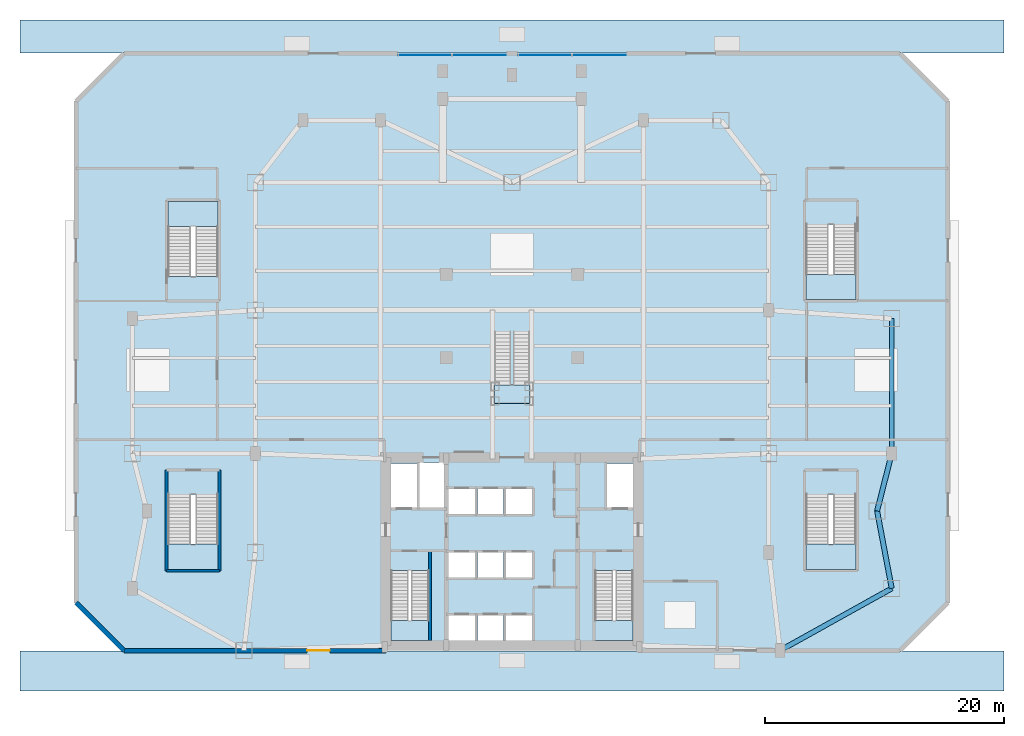
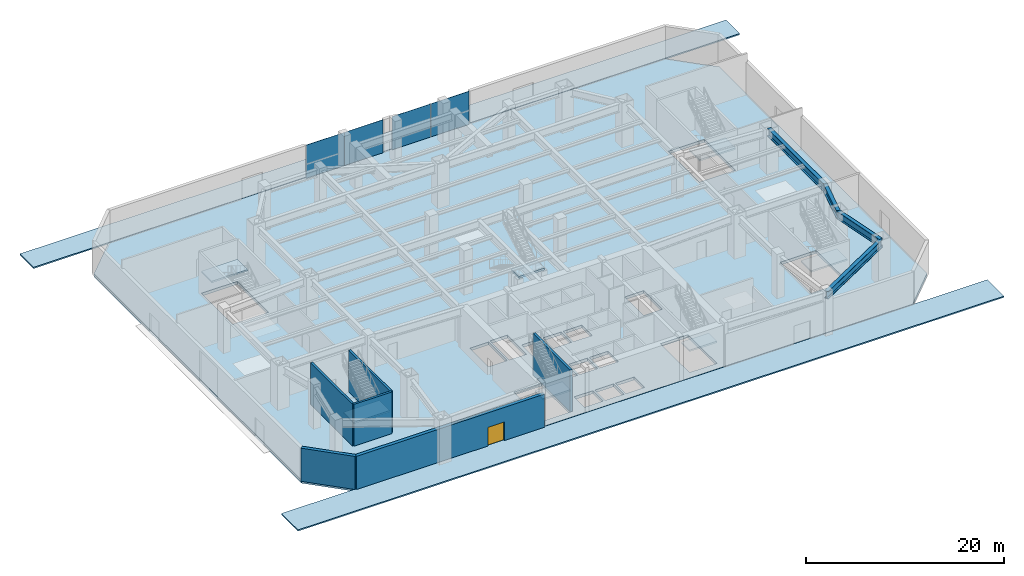
# One storey, part 4 of 11: 10 slabs, 6 walls, 4 beams, 4 plates, 1 door, 1 opening, 9 elements without a shape of their own.
"""IFC4 building model written with IfcOpenShell, lengths in metres."""

from ifc_helpers import new_model, si_unit, direction, frame, frame_2d, origin, origin_2d, place, context, subcontext, project, spatial, polyline, rectangle, i_section, outline, extrude, source, transform, mapped, material, layer, layer_set, material_profile, profile_set, type_object, type_shapes, element, fill, aggregate, save


model = new_model("IFC4")

# Units and contexts
model_context = context("Model", 3, precision=1e-05, world=origin(), true_north=direction((0.0, 1.0)))
body_context = subcontext(model_context, "Body", "Model", "MODEL_VIEW")
ifc_project = project(units=[si_unit("LENGTHUNIT", "METRE"), si_unit("AREAUNIT", "SQUARE_METRE"), si_unit("VOLUMEUNIT", "CUBIC_METRE"), si_unit("PLANEANGLEUNIT", "RADIAN"), si_unit("MASSUNIT", "GRAM", prefix="KILO")], contexts=[model_context])

# Site, building, storey
site_placement = place(None, origin())
site = spatial("IfcSite", under=ifc_project, at=site_placement, CompositionType="ELEMENT")
building_placement = place(site_placement, origin())
building = spatial("IfcBuilding", under=site, at=building_placement, Name="Varnakhor Terracotta Tower", CompositionType="ELEMENT")
storey_placement = place(building_placement, origin())
storey = spatial("IfcBuildingStorey", under=building, at=storey_placement, Name="L00", CompositionType="ELEMENT", Elevation=0.0)

# Beams
ifc_material_1 = material(Name="Steel S355", Category="steel")
ifc_material_profile = material_profile(ifc_material_1, i_section(OverallWidth=0.41796875, OverallDepth=0.927001953125, WebThickness=0.01904296875, FlangeThickness=0.031982421875, FilletRadius=0.01806640625, at=origin_2d()), Name="W36X231")
ifc_profile_set = profile_set([ifc_material_profile], Name="Steel S355")
beam_type = type_object("IfcBeamType", Name="BM-W36X231", PredefinedType="BEAM", material=ifc_profile_set)
shared_shape_1 = source(origin(), body_context, "Body", "SweptSolid", [
    extrude(i_section(OverallWidth=0.41796875, OverallDepth=0.927001953125, WebThickness=0.01904296875, FlangeThickness=0.031982421875, FilletRadius=0.01806640625, at=origin_2d()), origin(), (0.0, 0.0, 1.0), 10.7021484375),
])
beam_1_placement = place(storey_placement, frame((22.446044921875, 0.0, 4.6865234375), z_axis=(0.874027042936, 0.485877276909, 0.0), x_axis=(-0.485877276909, 0.874027042936, 0.0)))
element("IfcBeam", 1, at=beam_1_placement, inside=storey, type_object=beam_type, Name="L00 Podium Wing Girder OE1", PredefinedType="BEAM", context=body_context, shape_type="MappedRepresentation", body=[
    mapped(shared_shape_1, transform((0.0, 0.0, 0.0), scale=1.0)),
])
shared_shape_2 = source(origin(), body_context, "Body", "SweptSolid", [
    extrude(i_section(OverallWidth=0.41796875, OverallDepth=0.927001953125, WebThickness=0.01904296875, FlangeThickness=0.031982421875, FilletRadius=0.01806640625, at=origin_2d()), origin(), (0.0, 0.0, 1.0), 6.60205078125),
])
beam_2_placement = place(storey_placement, frame((31.800048828125, 5.199951171875, 4.6865234375), z_axis=(-0.185857896361, 0.982576634345, 0.0), x_axis=(-0.982576634345, -0.185857896361, 0.0)))
element("IfcBeam", 2, at=beam_2_placement, inside=storey, type_object=beam_type, Name="L00 Podium Wing Girder OE2A", PredefinedType="BEAM", context=body_context, shape_type="MappedRepresentation", body=[
    mapped(shared_shape_2, transform((0.0, 0.0, 0.0), scale=1.0)),
])
shared_shape_3 = source(origin(), body_context, "Body", "SweptSolid", [
    extrude(i_section(OverallWidth=0.41796875, OverallDepth=0.927001953125, WebThickness=0.01904296875, FlangeThickness=0.031982421875, FilletRadius=0.01806640625, at=origin_2d()), origin(), (0.0, 0.0, 1.0), 4.967041015625),
])
beam_3_placement = place(storey_placement, frame((30.572998046875, 11.68701171875, 4.6865234375), z_axis=(0.247043524216, 0.969004384481, 0.0), x_axis=(-0.969004384481, 0.247043524216, 0.0)))
element("IfcBeam", 3, at=beam_3_placement, inside=storey, type_object=beam_type, Name="L00 Podium Wing Girder OE2B", PredefinedType="BEAM", context=body_context, shape_type="MappedRepresentation", body=[
    mapped(shared_shape_3, transform((0.0, 0.0, 0.0), scale=1.0)),
])
shared_shape_4 = source(origin(), body_context, "Body", "SweptSolid", [
    extrude(i_section(OverallWidth=0.41796875, OverallDepth=0.927001953125, WebThickness=0.01904296875, FlangeThickness=0.031982421875, FilletRadius=0.01806640625, at=origin_2d()), origin(), (0.0, 0.0, 1.0), 11.300048828125),
])
beam_4_placement = place(storey_placement, frame((31.800048828125, 16.5, 4.6865234375), z_axis=(0.0, 1.0, 0.0), x_axis=(-1.0, 0.0, 0.0)))
element("IfcBeam", 4, at=beam_4_placement, inside=storey, type_object=beam_type, Name="L00 Podium Wing Girder OE3", PredefinedType="BEAM", context=body_context, shape_type="MappedRepresentation", body=[
    mapped(shared_shape_4, transform((0.0, 0.0, 0.0), scale=1.0)),
])

# Slab
ifc_material_2 = material(Name="Concrete C40/50", Category="concrete")
ifc_layer_1 = layer(ifc_material_2, 0.360107421875, Name="Concrete C40/50")
ifc_layer_set_1 = layer_set([ifc_layer_1], Name="Concrete C40/50")
slab_type_1 = type_object("IfcSlabType", Name="SLB-CONC-360", PredefinedType="FLOOR", material=ifc_layer_set_1)
slab_1_placement = place(storey_placement, frame((0.0, 0.0, -0.360107421875)))
element("IfcSlab", 5, at=slab_1_placement, inside=storey, type_object=slab_type_1, Name="L00 Structural Floor Slab", PredefinedType="FLOOR", context=body_context, shape_type="SweptSolid", body=[
    extrude(outline(polyline([(-36.5, 4.0), (-36.5, 46.0), (-32.5, 50.0), (32.5, 50.0), (36.5, 46.0), (36.5, 4.0), (32.5, 0.0), (-32.5, 0.0), (-36.5, 4.0)]), holes=[polyline([(-5.300048828125, 0.85009765625), (-3.10009765625, 0.85009765625), (-3.10009765625, 2.949951171875), (-5.300048828125, 2.949951171875), (-5.300048828125, 0.85009765625)]), polyline([(-10.14990234375, 0.85009765625), (-6.949951171875, 0.85009765625), (-6.949951171875, 6.695068359375), (-10.14990234375, 6.695068359375), (-10.14990234375, 0.85009765625)]), polyline([(-5.300048828125, 6.10009765625), (-3.10009765625, 6.10009765625), (-3.10009765625, 8.199951171875), (-5.300048828125, 8.199951171875), (-5.300048828125, 6.10009765625)]), polyline([(-28.800048828125, 6.800048828125), (-24.60009765625, 6.800048828125), (-24.60009765625, 13.0849609375), (-28.800048828125, 13.0849609375), (-28.800048828125, 6.800048828125)]), polyline([(-5.300048828125, 11.419921875), (-3.10009765625, 11.419921875), (-3.10009765625, 13.52001953125), (-5.300048828125, 13.52001953125), (-5.300048828125, 11.419921875)]), polyline([(-2.8798828125, 11.419921875), (-0.719970703125, 11.419921875), (-0.719970703125, 13.52001953125), (-2.8798828125, 13.52001953125), (-2.8798828125, 11.419921875)]), polyline([(-10.14990234375, 11.8798828125), (-7.949951171875, 11.8798828125), (-7.949951171875, 15.64990234375), (-10.14990234375, 15.64990234375), (-10.14990234375, 11.8798828125)]), polyline([(-7.72998046875, 15.75), (-7.72998046875, 11.8798828125), (-5.699951171875, 11.8798828125), (-5.699951171875, 15.75), (-7.72998046875, 15.75)]), polyline([(-28.800048828125, 37.60009765625), (-28.800048828125, 31.31494140625), (-24.60009765625, 31.31494140625), (-24.60009765625, 37.60009765625), (-28.800048828125, 37.60009765625)]), polyline([(-2.8798828125, 0.85009765625), (-0.719970703125, 0.85009765625), (-0.719970703125, 2.949951171875), (-2.8798828125, 2.949951171875), (-2.8798828125, 0.85009765625)]), polyline([(-0.5, 0.85009765625), (1.699951171875, 0.85009765625), (1.699951171875, 2.949951171875), (-0.5, 2.949951171875), (-0.5, 0.85009765625)]), polyline([(6.949951171875, 0.85009765625), (10.14990234375, 0.85009765625), (10.14990234375, 6.695068359375), (6.949951171875, 6.695068359375), (6.949951171875, 0.85009765625)]), polyline([(-2.8798828125, 6.10009765625), (-0.719970703125, 6.10009765625), (-0.719970703125, 8.199951171875), (-2.8798828125, 8.199951171875), (-2.8798828125, 6.10009765625)]), polyline([(-0.5, 6.10009765625), (1.699951171875, 6.10009765625), (1.699951171875, 8.199951171875), (-0.5, 8.199951171875), (-0.5, 6.10009765625)]), polyline([(24.60009765625, 6.800048828125), (28.800048828125, 6.800048828125), (28.800048828125, 13.0849609375), (24.60009765625, 13.0849609375), (24.60009765625, 6.800048828125)]), polyline([(-0.5, 11.419921875), (1.699951171875, 11.419921875), (1.699951171875, 13.52001953125), (-0.5, 13.52001953125), (-0.5, 11.419921875)]), polyline([(7.949951171875, 15.64990234375), (7.949951171875, 11.8798828125), (10.14990234375, 11.8798828125), (10.14990234375, 15.64990234375), (7.949951171875, 15.64990234375)]), polyline([(24.60009765625, 35.68505859375), (24.60009765625, 29.39990234375), (28.800048828125, 29.39990234375), (28.800048828125, 35.68505859375), (24.60009765625, 35.68505859375)])]), origin(), (0.0, 0.0, 1.0), 0.360107421875),
])

# Stair, slab
stair_type_1 = type_object("IfcStairType", Name="STR-CORE-OFFICE-1500", PredefinedType="HALF_TURN_STAIR", material=ifc_material_2)
stair_1_placement = place(storey_placement, origin())
stair_1 = element("IfcStair", 6, at=stair_1_placement, inside=storey, type_object=stair_type_1, Name="L00 Core Exit Stair ST-1", PredefinedType="HALF_TURN_STAIR")
ifc_layer_2 = layer(ifc_material_2, 0.179931640625, Name="Concrete C40/50")
ifc_layer_set_2 = layer_set([ifc_layer_2], Name="Concrete C40/50")
slab_type_2 = type_object("IfcSlabType", Name="SLB-LANDING-180", PredefinedType="LANDING", material=ifc_layer_set_2)
slab_2_placement = place(storey_placement, frame((0.0, 0.0, 2.550048828125)))
slab_2 = element("IfcSlab", 7, at=slab_2_placement, type_object=slab_type_2, Name="ST-1 landing 1", PredefinedType="LANDING", context=body_context, shape_type="SweptSolid", body=[
    extrude(outline(polyline([(-10.14990234375, 2.510009765625), (-10.14990234375, 0.85009765625), (-6.949951171875, 0.85009765625), (-6.949951171875, 2.510009765625), (-10.14990234375, 2.510009765625)])), origin(), (0.0, 0.0, 1.0), 0.199951171875),
])
aggregate(stair_1, [slab_2])

stair_2_placement = place(storey_placement, origin())
stair_2 = element("IfcStair", 8, at=stair_2_placement, inside=storey, type_object=stair_type_1, Name="L00 Core Exit Stair ST-2", PredefinedType="HALF_TURN_STAIR")
slab_3_placement = place(storey_placement, frame((0.0, 0.0, 2.550048828125)))
slab_3 = element("IfcSlab", 9, at=slab_3_placement, type_object=slab_type_2, Name="ST-2 landing 1", PredefinedType="LANDING", context=body_context, shape_type="SweptSolid", body=[
    extrude(outline(polyline([(6.949951171875, 2.510009765625), (6.949951171875, 0.85009765625), (10.14990234375, 0.85009765625), (10.14990234375, 2.510009765625), (6.949951171875, 2.510009765625)])), origin(), (0.0, 0.0, 1.0), 0.199951171875),
])
aggregate(stair_2, [slab_3])

stair_type_2 = type_object("IfcStairType", Name="STR-PODIUM-EXIT-2000", PredefinedType="HALF_TURN_STAIR", material=ifc_material_2)
stair_3_placement = place(storey_placement, origin())
stair_3 = element("IfcStair", 10, at=stair_3_placement, inside=storey, type_object=stair_type_2, Name="L00 Podium Assembly Exit Stair ST-P1", PredefinedType="HALF_TURN_STAIR")
slab_4_placement = place(storey_placement, frame((0.0, 0.0, 2.550048828125)))
slab_4 = element("IfcSlab", 11, at=slab_4_placement, type_object=slab_type_2, Name="ST-P1 landing 1", PredefinedType="LANDING", context=body_context, shape_type="SweptSolid", body=[
    extrude(outline(polyline([(-28.800048828125, 8.89990234375), (-28.800048828125, 6.800048828125), (-24.60009765625, 6.800048828125), (-24.60009765625, 8.89990234375), (-28.800048828125, 8.89990234375)])), origin(), (0.0, 0.0, 1.0), 0.199951171875),
])
aggregate(stair_3, [slab_4])

stair_4_placement = place(storey_placement, origin())
stair_4 = element("IfcStair", 12, at=stair_4_placement, inside=storey, type_object=stair_type_2, Name="L00 Podium Assembly Exit Stair ST-P2", PredefinedType="HALF_TURN_STAIR")
slab_5_placement = place(storey_placement, frame((0.0, 0.0, 2.550048828125)))
slab_5 = element("IfcSlab", 13, at=slab_5_placement, type_object=slab_type_2, Name="ST-P2 landing 1", PredefinedType="LANDING", context=body_context, shape_type="SweptSolid", body=[
    extrude(outline(polyline([(24.60009765625, 8.89990234375), (24.60009765625, 6.800048828125), (28.800048828125, 6.800048828125), (28.800048828125, 8.89990234375), (24.60009765625, 8.89990234375)])), origin(), (0.0, 0.0, 1.0), 0.199951171875),
])
aggregate(stair_4, [slab_5])

stair_5_placement = place(storey_placement, origin())
stair_5 = element("IfcStair", 14, at=stair_5_placement, inside=storey, type_object=stair_type_2, Name="L00 Podium Assembly Exit Stair ST-P3", PredefinedType="HALF_TURN_STAIR")
slab_6_placement = place(storey_placement, frame((0.0, 0.0, 2.550048828125)))
slab_6 = element("IfcSlab", 15, at=slab_6_placement, type_object=slab_type_2, Name="ST-P3 landing 1", PredefinedType="LANDING", context=body_context, shape_type="SweptSolid", body=[
    extrude(outline(polyline([(-24.60009765625, 35.5), (-24.60009765625, 37.60009765625), (-28.800048828125, 37.60009765625), (-28.800048828125, 35.5), (-24.60009765625, 35.5)])), origin(), (0.0, 0.0, 1.0), 0.199951171875),
])
aggregate(stair_5, [slab_6])

stair_6_placement = place(storey_placement, origin())
stair_6 = element("IfcStair", 16, at=stair_6_placement, inside=storey, type_object=stair_type_2, Name="L00 Podium Assembly Exit Stair ST-P4", PredefinedType="HALF_TURN_STAIR")
slab_7_placement = place(storey_placement, frame((0.0, 0.0, 2.550048828125)))
slab_7 = element("IfcSlab", 17, at=slab_7_placement, type_object=slab_type_2, Name="ST-P4 landing 1", PredefinedType="LANDING", context=body_context, shape_type="SweptSolid", body=[
    extrude(outline(polyline([(24.60009765625, 31.5), (24.60009765625, 29.39990234375), (28.800048828125, 29.39990234375), (28.800048828125, 31.5), (24.60009765625, 31.5)])), origin(), (0.0, 0.0, 1.0), 0.199951171875),
])
aggregate(stair_6, [slab_7])

stair_type_3 = type_object("IfcStairType", Name="STR-FEATURE-2400", PredefinedType="STRAIGHT_RUN_STAIR", material=ifc_material_1)
stair_7_placement = place(storey_placement, origin())
stair_7 = element("IfcStair", 18, at=stair_7_placement, inside=storey, type_object=stair_type_3, Name="Podium Grand Feature Stair ST-F1", PredefinedType="HALF_TURN_STAIR")
slab_8_placement = place(storey_placement, frame((0.0, 0.0, 2.510009765625)))
slab_8 = element("IfcSlab", 19, at=slab_8_placement, type_object=slab_type_2, Name="ST-F1 landing 1", PredefinedType="LANDING", context=body_context, shape_type="SweptSolid", body=[
    extrude(outline(polyline([(-1.52001953125, 20.699951171875), (1.52001953125, 20.699951171875), (1.52001953125, 22.25), (-1.52001953125, 22.25), (-1.52001953125, 20.699951171875)])), origin(), (0.0, 0.0, 1.0), 0.239990234375),
])
aggregate(stair_7, [slab_8])

# Slabs
ifc_layer_3 = layer(ifc_material_2, 0.159912109375, Name="Concrete C40/50")
ifc_layer_set_3 = layer_set([ifc_layer_3], Name="Concrete C40/50")
slab_type_3 = type_object("IfcSlabType", Name="SLB-PAVING-160", PredefinedType="USERDEFINED", material=ifc_layer_set_3)
slab_9_placement = place(storey_placement, frame((0.0, 0.0, -0.159912109375)))
element("IfcSlab", 20, at=slab_9_placement, inside=storey, type_object=slab_type_3, Name="L00 North Arrival Forecourt Paving", ObjectType="PAVING", PredefinedType="USERDEFINED", context=body_context, shape_type="SweptSolid", body=[
    extrude(outline(polyline([(-41.199951171875, 50.0400390625), (41.199951171875, 50.0400390625), (41.199951171875, 52.800048828125), (-41.199951171875, 52.800048828125), (-41.199951171875, 50.0400390625)])), origin(), (0.0, 0.0, 1.0), 0.159912109375),
])
slab_10_placement = place(storey_placement, frame((0.0, 0.0, -0.159912109375)))
element("IfcSlab", 21, at=slab_10_placement, inside=storey, type_object=slab_type_3, Name="L00 South Colonnade Apron Paving", ObjectType="PAVING", PredefinedType="USERDEFINED", context=body_context, shape_type="SweptSolid", body=[
    extrude(outline(polyline([(-41.199951171875, -3.39990234375), (41.199951171875, -3.39990234375), (41.199951171875, -0.0400390625), (-41.199951171875, -0.0400390625), (-41.199951171875, -3.39990234375)])), origin(), (0.0, 0.0, 1.0), 0.159912109375),
])

# Curtain wall, plates
ifc_material_3 = material(Name="Anodised Aluminium Curtain Wall System", Category="aluminium")
curtain_wall_type = type_object("IfcCurtainWallType", Name="CW-SYS-PODIUM", PredefinedType="NOTDEFINED", material=ifc_material_3)
curtain_wall_1_placement = place(storey_placement, origin())
curtain_wall_1 = element("IfcCurtainWall", 22, at=curtain_wall_1_placement, inside=storey, type_object=curtain_wall_type, Name="L00 North West Foyer Curtain Wall", PredefinedType="NOTDEFINED")
ifc_material_4 = material(Name="Solar-Control Low-E Insulated Glass Panel", Category="glass")
ifc_layer_4 = layer(ifc_material_4, 0.0439453125, Name="Solar-Control Low-E Insulated Glass Panel")
ifc_layer_set_4 = layer_set([ifc_layer_4], Name="Solar-Control Low-E Insulated Glass Panel")
plate_type = type_object("IfcPlateType", Name="CWP-01", PredefinedType="CURTAIN_PANEL", material=ifc_layer_set_4)
shared_shape_5 = source(origin(), body_context, "Body", "SweptSolid", [
    extrude(rectangle(XDim=4.47509765625, YDim=0.035888671875, at=origin_2d()), origin(), (0.0, 0.0, 1.0), 4.090087890625),
])
type_shapes(plate_type, [shared_shape_5])
plate_1_placement = place(storey_placement, frame((-7.282470703125, 49.8798828125, 0.0), z_axis=(0.0, 0.0, 1.0), x_axis=(1.0, 0.0, 0.0)))
plate_1 = element("IfcPlate", 23, at=plate_1_placement, type_object=plate_type, Name="L00 North West Foyer Curtain Wall Glazed Panel 1", PredefinedType="CURTAIN_PANEL", context=body_context, shape_type="MappedRepresentation", body=[
    mapped(shared_shape_5, transform((0.0, 0.0, 0.0), scale=1.0)),
])
plate_2_placement = place(storey_placement, frame((-2.767578125, 49.8798828125, 0.0), z_axis=(0.0, 0.0, 1.0), x_axis=(1.0, 0.0, 0.0)))
plate_2 = element("IfcPlate", 24, at=plate_2_placement, type_object=plate_type, Name="L00 North West Foyer Curtain Wall Glazed Panel 2", PredefinedType="CURTAIN_PANEL", context=body_context, shape_type="MappedRepresentation", body=[
    mapped(shared_shape_5, transform((0.0, 0.0, 0.0), scale=1.0)),
])
aggregate(curtain_wall_1, [plate_1, plate_2])

curtain_wall_2_placement = place(storey_placement, origin())
curtain_wall_2 = element("IfcCurtainWall", 25, at=curtain_wall_2_placement, inside=storey, type_object=curtain_wall_type, Name="L00 North East Foyer Curtain Wall", PredefinedType="NOTDEFINED")
plate_3_placement = place(storey_placement, frame((2.767578125, 49.8798828125, 0.0), z_axis=(0.0, 0.0, 1.0), x_axis=(1.0, 0.0, 0.0)))
plate_3 = element("IfcPlate", 26, at=plate_3_placement, type_object=plate_type, Name="L00 North East Foyer Curtain Wall Glazed Panel 1", PredefinedType="CURTAIN_PANEL", context=body_context, shape_type="MappedRepresentation", body=[
    mapped(shared_shape_5, transform((0.0, 0.0, 0.0), scale=1.0)),
])
plate_4_placement = place(storey_placement, frame((7.282470703125, 49.8798828125, 0.0), z_axis=(0.0, 0.0, 1.0), x_axis=(1.0, 0.0, 0.0)))
plate_4 = element("IfcPlate", 27, at=plate_4_placement, type_object=plate_type, Name="L00 North East Foyer Curtain Wall Glazed Panel 2", PredefinedType="CURTAIN_PANEL", context=body_context, shape_type="MappedRepresentation", body=[
    mapped(shared_shape_5, transform((0.0, 0.0, 0.0), scale=1.0)),
])
aggregate(curtain_wall_2, [plate_3, plate_4])

# Wall, opening, door
ifc_material_5 = material(Name="Honed Riyadh Limestone Assembly", Category="masonry")
ifc_layer_5 = layer(ifc_material_5, 0.3798828125, Name="Honed Riyadh Limestone Assembly")
ifc_layer_set_5 = layer_set([ifc_layer_5], Name="Honed Riyadh Limestone Assembly")
wall_type_1 = type_object("IfcWallType", Name="WAL-EXT-LIMESTONE-380", PredefinedType="SOLIDWALL", material=ifc_layer_set_5)
wall_1_placement = place(storey_placement, frame((-10.550048828125, 0.0, 0.0), z_axis=(0.0, 0.0, 1.0), x_axis=(-1.0, 0.0, 0.0)))
wall_1 = element("IfcWall", 28, at=wall_1_placement, inside=storey, type_object=wall_type_1, Name="L00 Limestone Podium Wall SW", PredefinedType="SOLIDWALL", context=body_context, shape_type="SweptSolid", body=[
    extrude(rectangle(XDim=21.949951171875, YDim=0.3798828125, at=frame_2d((10.97509765625, 0.0))), origin(), (0.0, 0.0, 1.0), 4.090087890625),
])
opening_placement = place(wall_1_placement, frame((4.699951171875, 0.0, 0.0)))
opening = element("IfcOpeningElement", 29, at=opening_placement, cuts=wall_1, Name="Opening DR-56", PredefinedType="OPENING", context=body_context, shape_type="SweptSolid", body=[
    extrude(rectangle(XDim=1.89990234375, YDim=2.300048828125, at=frame_2d((0.949951171875, 1.14990234375))), frame((0.0, 0.199951171875, 0.0), z_axis=(0.0, -1.0, 0.0), x_axis=(1.0, 0.0, 0.0)), (0.0, 0.0, 1.0), 0.39990234375),
])
ifc_material_6 = material(Name="Insulated Steel Double Exit Door", Category="steel")
door_type = type_object("IfcDoorType", Name="DR-EXT-EXIT-1900X2300", OperationType="NOTDEFINED", PredefinedType="DOOR", material=ifc_material_6)
shared_shape_6 = source(origin(), body_context, "Body", "SweptSolid", [
    extrude(rectangle(XDim=1.89990234375, YDim=2.300048828125, at=frame_2d((0.949951171875, 1.14990234375))), frame((0.0, 0.02490234375, 0.0), z_axis=(0.0, -1.0, 0.0), x_axis=(1.0, 0.0, 0.0)), (0.0, 0.0, 1.0), 0.050048828125),
])
type_shapes(door_type, [shared_shape_6])
door_placement = place(opening_placement, origin())
door = element("IfcDoor", 30, at=door_placement, inside=storey, type_object=door_type, Name="L00 Core Stair Final Exit Door SW", OperationType="DOUBLE_DOOR_SINGLE_SWING", OverallHeight=2.300048828125, OverallWidth=1.89990234375, PredefinedType="DOOR", context=body_context, shape_type="MappedRepresentation", body=[
    mapped(shared_shape_6, transform((0.0, 0.0, 0.0), scale=1.0)),
])
fill(opening, door)

# Walls
wall_2_placement = place(storey_placement, frame((-32.5, 0.0, 0.0), z_axis=(0.0, 0.0, 1.0), x_axis=(-0.707106781187, 0.707106781187, 0.0)))
element("IfcWall", 31, at=wall_2_placement, inside=storey, type_object=wall_type_1, Name="L00 Podium Chamfer Limestone Wall 8", PredefinedType="SOLIDWALL", context=body_context, shape_type="SweptSolid", body=[
    extrude(rectangle(XDim=5.65673828125, YDim=0.3798828125, at=frame_2d((2.828369140625, 0.0))), origin(), (0.0, 0.0, 1.0), 4.090087890625),
])
ifc_layer_6 = layer(ifc_material_2, 0.25, Name="Concrete C40/50")
ifc_layer_set_6 = layer_set([ifc_layer_6], Name="Concrete C40/50")
wall_type_2 = type_object("IfcWallType", Name="WAL-SHAFT-250", PredefinedType="SOLIDWALL", material=ifc_layer_set_6)
wall_3_placement = place(storey_placement, frame((-6.85009765625, 0.85009765625, 0.0), z_axis=(0.0, 0.0, 1.0), x_axis=(0.0, 1.0, 0.0)))
element("IfcWall", 32, at=wall_3_placement, inside=storey, type_object=wall_type_2, Name="L00 Stair ST-1 Bearing Shaft Wall", PredefinedType="SOLIDWALL", context=body_context, shape_type="SweptSolid", body=[
    extrude(rectangle(XDim=7.5, YDim=0.25, at=frame_2d((3.75, 0.0))), origin(), (0.0, 0.0, 1.0), 5.14990234375),
])
for number, where, z_axis, x_axis, name in (
    (33, (-28.919921875, 6.679931640625, 0.0), (0.0, 0.0, 1.0), (0.0, 1.0, 0.0), "L00 ST-P1 Bearing Shaft Wall W"),
    (34, (-24.47998046875, 6.679931640625, 0.0), (0.0, 0.0, 1.0), (0.0, 1.0, 0.0), "L00 ST-P1 Bearing Shaft Wall E"),
):
    element("IfcWall", number, at=place(storey_placement, frame(where, z_axis=z_axis, x_axis=x_axis)), inside=storey, type_object=wall_type_2, Name=name, PredefinedType="SOLIDWALL", context=body_context, shape_type="SweptSolid", body=[
        extrude(rectangle(XDim=8.440185546875, YDim=0.25, at=frame_2d((4.22021484375, 0.0))), origin(), (0.0, 0.0, 1.0), 5.14990234375),
    ])
wall_4_placement = place(storey_placement, frame((-24.47998046875, 6.679931640625, 0.0), z_axis=(0.0, 0.0, 1.0), x_axis=(-1.0, 0.0, 0.0)))
element("IfcWall", 35, at=wall_4_placement, inside=storey, type_object=wall_type_2, Name="L00 ST-P1 Bearing Shaft Wall S", PredefinedType="SOLIDWALL", context=body_context, shape_type="SweptSolid", body=[
    extrude(rectangle(XDim=4.43994140625, YDim=0.25, at=frame_2d((2.219970703125, 0.0))), origin(), (0.0, 0.0, 1.0), 5.14990234375),
])

save(model, "model.ifc")
